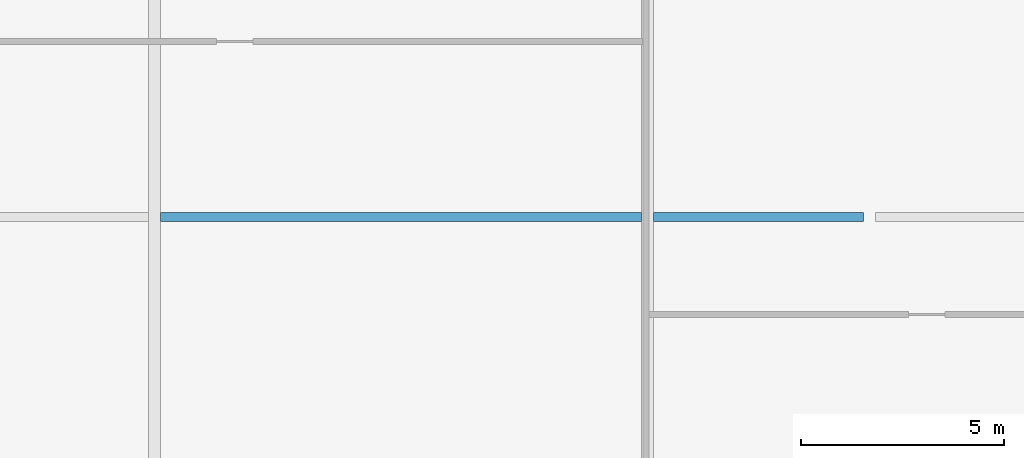
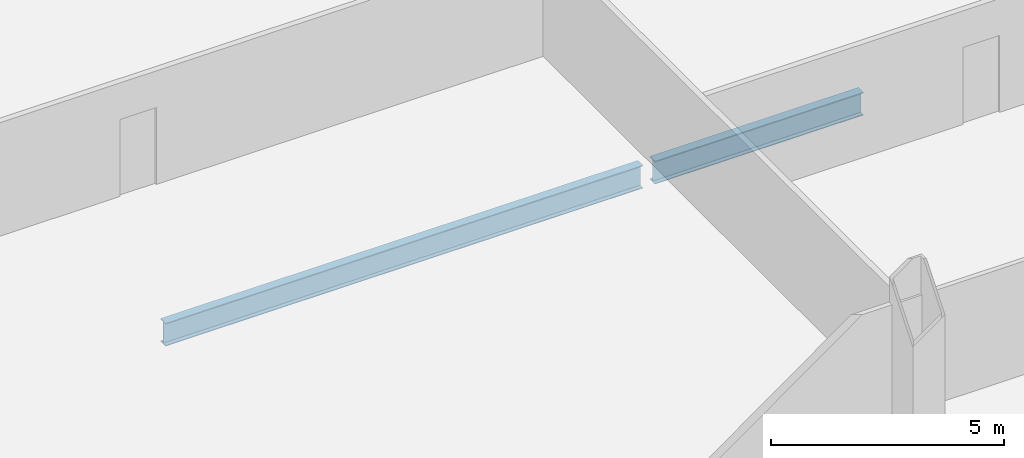
# One storey, part 13 of 35: 2 beams.
"""IFC4 building model written with IfcOpenShell, lengths in metres."""

from ifc_helpers import new_model, si_unit, direction, frame, origin, origin_2d, place, context, subcontext, project, spatial, i_section, extrude, material, material_profile, profile_set, type_object, element, save


model = new_model("IFC4")

# Units and contexts
model_context = context("Model", 3, precision=1e-05, world=origin(), true_north=direction((0.0, 1.0)))
body_context = subcontext(model_context, "Body", "Model", "MODEL_VIEW")
ifc_project = project(units=[si_unit("LENGTHUNIT", "METRE"), si_unit("AREAUNIT", "SQUARE_METRE"), si_unit("VOLUMEUNIT", "CUBIC_METRE"), si_unit("PLANEANGLEUNIT", "RADIAN"), si_unit("MASSUNIT", "GRAM", prefix="KILO")], contexts=[model_context])

# Site, building, storey
site_placement = place(None, origin())
site = spatial("IfcSite", under=ifc_project, at=site_placement, CompositionType="ELEMENT")
building_placement = place(site_placement, origin())
building = spatial("IfcBuilding", under=site, at=building_placement, Name="Khoronbel Lancet Exchange", CompositionType="ELEMENT")
storey_placement = place(building_placement, frame((0.0, 0.0, 25.800048828125)))
storey = spatial("IfcBuildingStorey", under=building, at=storey_placement, Name="L05", CompositionType="ELEMENT", Elevation=25.800048828125)

# Beams
ifc_material = material(Name="Steel S355", Category="steel")
ifc_material_profile = material_profile(ifc_material, i_section(OverallWidth=0.219970703125, OverallDepth=0.60009765625, WebThickness=0.011962890625, FlangeThickness=0.01904296875, at=origin_2d()), Name="IPE 600")
ifc_profile_set = profile_set([ifc_material_profile], Name="Steel S355")
beam_type = type_object("IfcBeamType", Name="BM-BJ1", PredefinedType="JOIST", material=ifc_profile_set)
beam_1_placement = place(storey_placement, frame((30.52490234375, 21.800048828125, -0.47998046875), z_axis=(1.0, 0.0, 0.0), x_axis=(0.0, 1.0, 0.0)))
element("IfcBeam", 1, at=beam_1_placement, inside=storey, type_object=beam_type, Name="Level L05 secondary composite joist J08", PredefinedType="JOIST", context=body_context, shape_type="SweptSolid", body=[
    extrude(i_section(OverallWidth=0.219970703125, OverallDepth=0.60009765625, WebThickness=0.011962890625, FlangeThickness=0.01904296875, at=origin_2d()), origin(), (0.0, 0.0, 1.0), 11.85009765625),
])
beam_2_placement = place(storey_placement, frame((42.675048828125, 21.800048828125, -0.47998046875), z_axis=(1.0, 0.0, 0.0), x_axis=(0.0, 1.0, 0.0)))
element("IfcBeam", 2, at=beam_2_placement, inside=storey, type_object=beam_type, Name="Level L05 secondary composite joist J09", PredefinedType="JOIST", context=body_context, shape_type="SweptSolid", body=[
    extrude(i_section(OverallWidth=0.219970703125, OverallDepth=0.60009765625, WebThickness=0.011962890625, FlangeThickness=0.01904296875, at=origin_2d()), origin(), (0.0, 0.0, 1.0), 5.175048828125),
])

save(model, "model.ifc")
